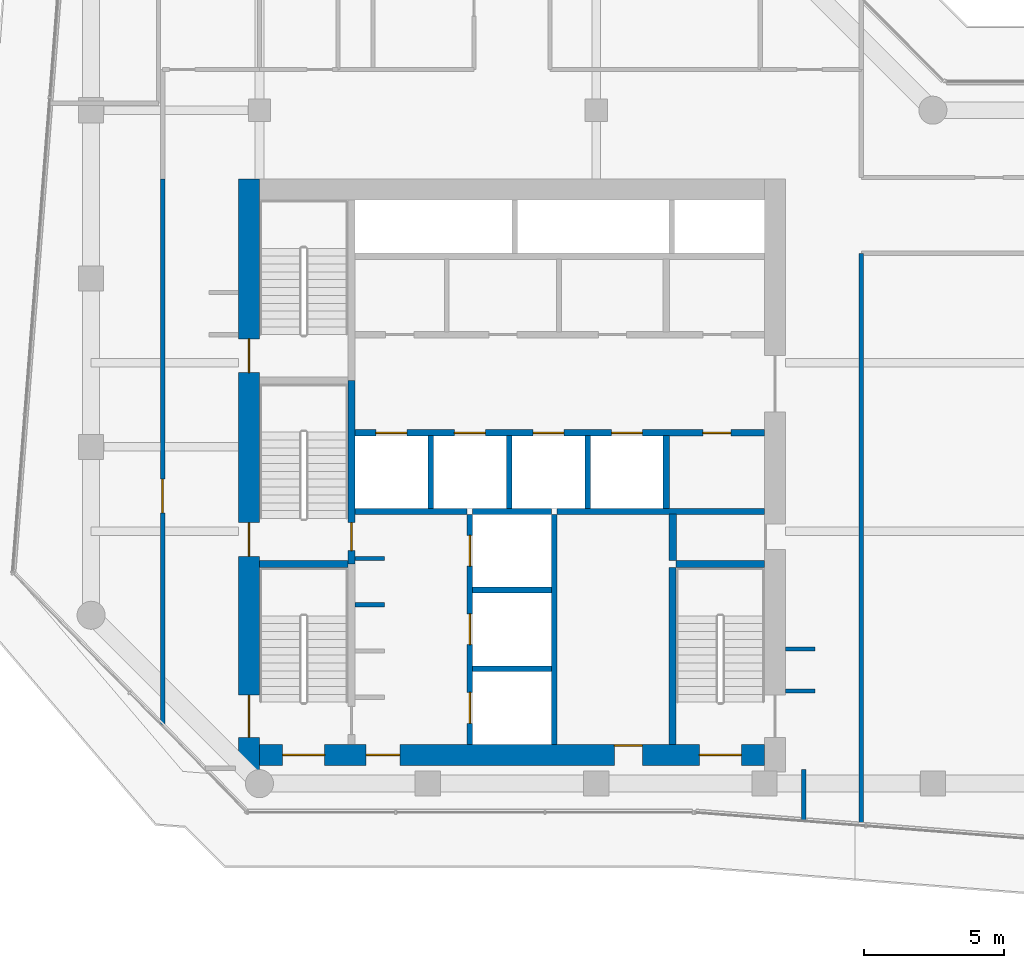
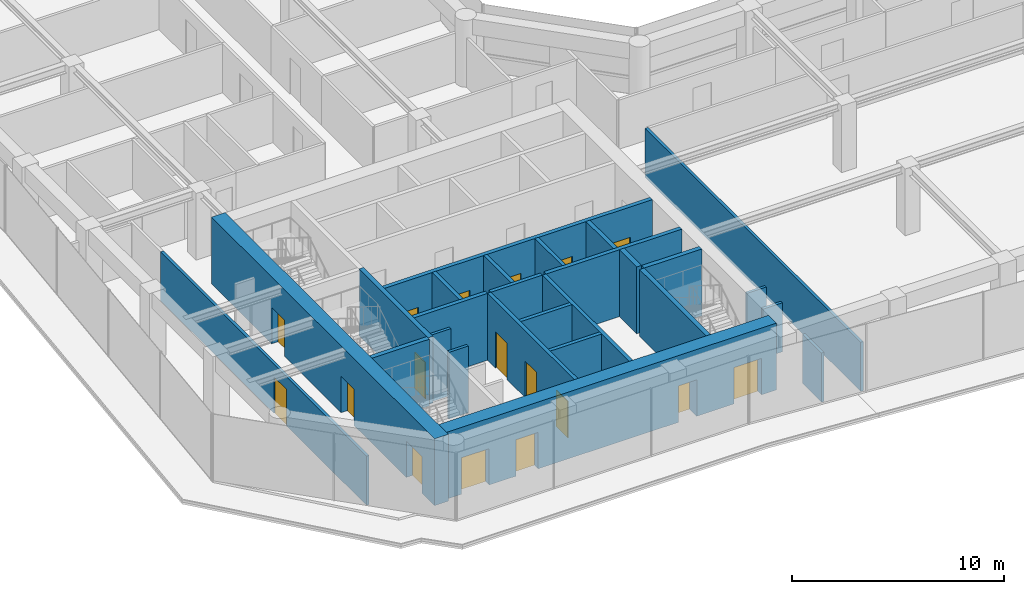
# One storey, part 20 of 24: 26 walls, 17 doors, 17 openings.
"""IFC4 building model written with IfcOpenShell, lengths in metres."""

from ifc_helpers import new_model, si_unit, direction, frame, frame_2d, origin, place, context, subcontext, project, spatial, rectangle, extrude, material, layer, layer_set, type_object, element, fill, save


model = new_model("IFC4")

# Units and contexts
model_context = context("Model", 3, precision=1e-05, world=origin(), true_north=direction((0.0, 1.0)))
body_context = subcontext(model_context, "Body", "Model", "MODEL_VIEW")
ifc_project = project(units=[si_unit("LENGTHUNIT", "METRE"), si_unit("AREAUNIT", "SQUARE_METRE"), si_unit("VOLUMEUNIT", "CUBIC_METRE"), si_unit("PLANEANGLEUNIT", "RADIAN"), si_unit("MASSUNIT", "GRAM", prefix="KILO")], contexts=[model_context])

# Site, building, storey
site_placement = place(None, origin())
site = spatial("IfcSite", under=ifc_project, at=site_placement, CompositionType="ELEMENT")
building_placement = place(site_placement, origin())
building = spatial("IfcBuilding", under=site, at=building_placement, Name="Welwitschia Terrace Campus", CompositionType="ELEMENT")
storey_placement = place(building_placement, frame((0.0, 0.0, 129.800048828125)))
storey = spatial("IfcBuildingStorey", under=building, at=storey_placement, Name="L29", CompositionType="ELEMENT", Elevation=129.800048828125)

# Walls
ifc_material_1 = material(Name="Concrete C32/40", Category="concrete")
ifc_layer_1 = layer(ifc_material_1, 0.22509765625)
ifc_layer_set_1 = layer_set([ifc_layer_1], Name="Concrete C32/40")
wall_type_1 = type_object("IfcWallType", Name="Core partition 225 Concrete C32/40", PredefinedType="PARTITIONING", material=ifc_layer_set_1)
wall_1_placement = place(storey_placement, frame((9.39990234375, 13.699951171875, 0.0), z_axis=(0.0, 0.0, 1.0), x_axis=(1.0, 0.0, 0.0)))
element("IfcWall", 1, at=wall_1_placement, inside=storey, type_object=wall_type_1, Name="Shaft wall", PredefinedType="PARTITIONING", context=body_context, shape_type="SweptSolid", body=[
    extrude(rectangle(XDim=4.0, YDim=0.22509765625, at=frame_2d((2.0, 0.0))), origin(), (0.0, 0.0, 1.0), 3.849853515625),
])
wall_2_placement = place(storey_placement, frame((16.60009765625, 13.699951171875, 0.0), z_axis=(0.0, 0.0, 1.0), x_axis=(1.0, 0.0, 0.0)))
element("IfcWall", 2, at=wall_2_placement, inside=storey, type_object=wall_type_1, Name="Shaft wall", PredefinedType="PARTITIONING", context=body_context, shape_type="SweptSolid", body=[
    extrude(rectangle(XDim=7.39990234375, YDim=0.22509765625, at=frame_2d((3.699951171875, 0.0))), origin(), (0.0, 0.0, 1.0), 3.849853515625),
])

# Wall, openings, doors
wall_3_placement = place(storey_placement, frame((9.39990234375, 16.5, 0.0), z_axis=(0.0, 0.0, 1.0), x_axis=(1.0, 0.0, 0.0)))
wall_3 = element("IfcWall", 3, at=wall_3_placement, inside=storey, type_object=wall_type_1, Name="Shaft wall", PredefinedType="PARTITIONING", context=body_context, shape_type="SweptSolid", body=[
    extrude(rectangle(XDim=14.60009765625, YDim=0.22509765625, at=frame_2d((7.300048828125, 0.0))), origin(), (0.0, 0.0, 1.0), 3.849853515625),
])
opening_1_placement = place(wall_3_placement, frame((0.75, 0.0, 0.0)))
opening_1 = element("IfcOpeningElement", 4, at=opening_1_placement, cuts=wall_3, Name="Opening LD", PredefinedType="OPENING", context=body_context, shape_type="SweptSolid", body=[
    extrude(rectangle(XDim=1.10009765625, YDim=2.10009765625, at=frame_2d((0.550048828125, 1.050048828125))), frame((0.0, 0.12255859375, 0.0), z_axis=(0.0, -1.0, 0.0), x_axis=(1.0, 0.0, 0.0)), (0.0, 0.0, 1.0), 0.2451171875),
])
opening_2_placement = place(wall_3_placement, frame((3.550048828125, 0.0, 0.0)))
opening_2 = element("IfcOpeningElement", 5, at=opening_2_placement, cuts=wall_3, Name="Opening LD", PredefinedType="OPENING", context=body_context, shape_type="SweptSolid", body=[
    extrude(rectangle(XDim=1.10009765625, YDim=2.10009765625, at=frame_2d((0.550048828125, 1.050048828125))), frame((0.0, 0.12255859375, 0.0), z_axis=(0.0, -1.0, 0.0), x_axis=(1.0, 0.0, 0.0)), (0.0, 0.0, 1.0), 0.2451171875),
])
opening_3_placement = place(wall_3_placement, frame((6.35009765625, 0.0, 0.0)))
opening_3 = element("IfcOpeningElement", 6, at=opening_3_placement, cuts=wall_3, Name="Opening LD", PredefinedType="OPENING", context=body_context, shape_type="SweptSolid", body=[
    extrude(rectangle(XDim=1.10009765625, YDim=2.10009765625, at=frame_2d((0.550048828125, 1.050048828125))), frame((0.0, 0.12255859375, 0.0), z_axis=(0.0, -1.0, 0.0), x_axis=(1.0, 0.0, 0.0)), (0.0, 0.0, 1.0), 0.2451171875),
])
opening_4_placement = place(wall_3_placement, frame((9.14990234375, 0.0, 0.0)))
opening_4 = element("IfcOpeningElement", 7, at=opening_4_placement, cuts=wall_3, Name="Opening LD", PredefinedType="OPENING", context=body_context, shape_type="SweptSolid", body=[
    extrude(rectangle(XDim=1.10009765625, YDim=2.10009765625, at=frame_2d((0.550048828125, 1.050048828125))), frame((0.0, 0.12255859375, 0.0), z_axis=(0.0, -1.0, 0.0), x_axis=(1.0, 0.0, 0.0)), (0.0, 0.0, 1.0), 0.2451171875),
])
opening_5_placement = place(wall_3_placement, frame((12.39990234375, 0.0, 0.0)))
opening_5 = element("IfcOpeningElement", 8, at=opening_5_placement, cuts=wall_3, Name="Opening DR10", PredefinedType="OPENING", context=body_context, shape_type="SweptSolid", body=[
    extrude(rectangle(XDim=1.0, YDim=2.10009765625, at=frame_2d((0.5, 1.050048828125))), frame((0.0, 0.12255859375, 0.0), z_axis=(0.0, -1.0, 0.0), x_axis=(1.0, 0.0, 0.0)), (0.0, 0.0, 1.0), 0.2451171875),
])
ifc_material_2 = material(Name="Steel S275", Category="steel")
door_type_1 = type_object("IfcDoorType", Name="Core door DR10", OperationType="SINGLE_SWING_LEFT", PredefinedType="DOOR", material=ifc_material_2)
door_1_placement = place(opening_5_placement, origin())
door_1 = element("IfcDoor", 9, at=door_1_placement, inside=storey, type_object=door_type_1, Name="Door EL-D", OperationType="SINGLE_SWING_RIGHT", OverallHeight=2.10009765625, OverallWidth=1.0, PredefinedType="DOOR", context=body_context, shape_type="SweptSolid", body=[
    extrude(rectangle(XDim=1.0, YDim=2.10009765625, at=frame_2d((0.5, 1.050048828125))), frame((0.0, 0.02490234375, 0.0), z_axis=(0.0, -1.0, 0.0), x_axis=(1.0, 0.0, 0.0)), (0.0, 0.0, 1.0), 0.050048828125),
])
fill(opening_5, door_1)
ifc_material_3 = material(Name="Stainless steel 304", Category="steel")
door_type_2 = type_object("IfcDoorType", Name="Lift landing door", OperationType="DOUBLE_DOOR_SLIDING", PredefinedType="DOOR", material=ifc_material_3)
door_2_placement = place(opening_1_placement, origin())
door_2 = element("IfcDoor", 10, at=door_2_placement, inside=storey, type_object=door_type_2, Name="Landing door LR1", OperationType="DOUBLE_DOOR_SLIDING", OverallHeight=2.10009765625, OverallWidth=1.10009765625, PredefinedType="DOOR", context=body_context, shape_type="SweptSolid", body=[
    extrude(rectangle(XDim=1.10009765625, YDim=2.10009765625, at=frame_2d((0.550048828125, 1.050048828125))), frame((0.0, 0.02490234375, 0.0), z_axis=(0.0, -1.0, 0.0), x_axis=(1.0, 0.0, 0.0)), (0.0, 0.0, 1.0), 0.050048828125),
])
fill(opening_1, door_2)
door_3_placement = place(opening_2_placement, origin())
door_3 = element("IfcDoor", 11, at=door_3_placement, inside=storey, type_object=door_type_2, Name="Landing door LR2", OperationType="DOUBLE_DOOR_SLIDING", OverallHeight=2.10009765625, OverallWidth=1.10009765625, PredefinedType="DOOR", context=body_context, shape_type="SweptSolid", body=[
    extrude(rectangle(XDim=1.10009765625, YDim=2.10009765625, at=frame_2d((0.550048828125, 1.050048828125))), frame((0.0, 0.02490234375, 0.0), z_axis=(0.0, -1.0, 0.0), x_axis=(1.0, 0.0, 0.0)), (0.0, 0.0, 1.0), 0.050048828125),
])
fill(opening_2, door_3)
door_4_placement = place(opening_3_placement, origin())
door_4 = element("IfcDoor", 12, at=door_4_placement, inside=storey, type_object=door_type_2, Name="Landing door LR3", OperationType="DOUBLE_DOOR_SLIDING", OverallHeight=2.10009765625, OverallWidth=1.10009765625, PredefinedType="DOOR", context=body_context, shape_type="SweptSolid", body=[
    extrude(rectangle(XDim=1.10009765625, YDim=2.10009765625, at=frame_2d((0.550048828125, 1.050048828125))), frame((0.0, 0.02490234375, 0.0), z_axis=(0.0, -1.0, 0.0), x_axis=(1.0, 0.0, 0.0)), (0.0, 0.0, 1.0), 0.050048828125),
])
fill(opening_3, door_4)
door_5_placement = place(opening_4_placement, origin())
door_5 = element("IfcDoor", 13, at=door_5_placement, inside=storey, type_object=door_type_2, Name="Landing door LR4", OperationType="DOUBLE_DOOR_SLIDING", OverallHeight=2.10009765625, OverallWidth=1.10009765625, PredefinedType="DOOR", context=body_context, shape_type="SweptSolid", body=[
    extrude(rectangle(XDim=1.10009765625, YDim=2.10009765625, at=frame_2d((0.550048828125, 1.050048828125))), frame((0.0, 0.02490234375, 0.0), z_axis=(0.0, -1.0, 0.0), x_axis=(1.0, 0.0, 0.0)), (0.0, 0.0, 1.0), 0.050048828125),
])
fill(opening_4, door_5)

# Walls
wall_4_placement = place(storey_placement, frame((20.5, 13.800048828125, 0.0), z_axis=(0.0, 0.0, 1.0), x_axis=(0.0, 1.0, 0.0)))
element("IfcWall", 14, at=wall_4_placement, inside=storey, type_object=wall_type_1, Name="Shaft wall", PredefinedType="PARTITIONING", context=body_context, shape_type="SweptSolid", body=[
    extrude(rectangle(XDim=2.599853515625, YDim=0.22509765625, at=frame_2d((1.2998046875, 0.0))), origin(), (0.0, 0.0, 1.0), 3.849853515625),
])
ifc_material_4 = material(Name="Concrete C32/40", Category="concrete")
ifc_layer_2 = layer(ifc_material_4, 0.27490234375)
ifc_layer_set_2 = layer_set([ifc_layer_2], Name="Concrete C32/40")
wall_type_2 = type_object("IfcWallType", Name="Core partition 275 Concrete C32/40", PredefinedType="PARTITIONING", material=ifc_layer_set_2)
wall_5_placement = place(storey_placement, frame((20.72509765625, 11.949951171875, 0.0), z_axis=(0.0, 0.0, 1.0), x_axis=(0.0, 1.0, 0.0)))
element("IfcWall", 15, at=wall_5_placement, inside=storey, type_object=wall_type_2, Name="Core partition", PredefinedType="PARTITIONING", context=body_context, shape_type="SweptSolid", body=[
    extrude(rectangle(XDim=1.650146484375, YDim=0.27490234375, at=frame_2d((0.8251953125, 0.0))), origin(), (0.0, 0.0, 1.0), 3.849853515625),
])
ifc_material_5 = material(Name="Concrete C50/60", Category="concrete")
ifc_layer_3 = layer(ifc_material_5, 0.14990234375)
ifc_layer_set_3 = layer_set([ifc_layer_3], Name="Concrete C50/60")
wall_type_3 = type_object("IfcWallType", Name="Core wall 150 Concrete C50/60", PredefinedType="SHEAR", material=ifc_layer_set_3)
for number, where, z_axis, x_axis, name in (
    (16, (9.39990234375, 10.375, 0.0), (0.0, 0.0, 1.0), (1.0, 0.0, 0.0), "Core wall"),
    (17, (9.39990234375, 12.02490234375, 0.0), (0.0, 0.0, 1.0), (1.0, 0.0, 0.0), "Core wall"),
):
    element("IfcWall", number, at=place(storey_placement, frame(where, z_axis=z_axis, x_axis=x_axis)), inside=storey, type_object=wall_type_3, Name=name, PredefinedType="SHEAR", context=body_context, shape_type="SweptSolid", body=[
        extrude(rectangle(XDim=1.050048828125, YDim=0.14990234375, at=frame_2d((0.52490234375, 0.0))), origin(), (0.0, 0.0, 1.0), 3.849853515625),
    ])
ifc_material_6 = material(Name="Concrete C50/60", Category="concrete")
ifc_layer_4 = layer(ifc_material_6, 0.199951171875)
ifc_layer_set_4 = layer_set([ifc_layer_4], Name="Concrete C50/60")
wall_type_4 = type_object("IfcWallType", Name="Core wall 200 Concrete C50/60", PredefinedType="SHEAR", material=ifc_layer_set_4)
for number, where, z_axis, x_axis, name in (
    (18, (13.60009765625, 8.10009765625, 0.0), (0.0, 0.0, 1.0), (1.0, 0.0, 0.0), "Core wall"),
    (19, (13.60009765625, 10.89990234375, 0.0), (0.0, 0.0, 1.0), (1.0, 0.0, 0.0), "Core wall"),
    (20, (13.60009765625, 13.699951171875, 0.0), (0.0, 0.0, 1.0), (1.0, 0.0, 0.0), "Core wall"),
):
    element("IfcWall", number, at=place(storey_placement, frame(where, z_axis=z_axis, x_axis=x_axis)), inside=storey, type_object=wall_type_4, Name=name, PredefinedType="SHEAR", context=body_context, shape_type="SweptSolid", body=[
        extrude(rectangle(XDim=2.7998046875, YDim=0.199951171875, at=frame_2d((1.39990234375, 0.0))), origin(), (0.0, 0.0, 1.0), 3.849853515625),
    ])

# Wall, openings, doors
wall_6_placement = place(storey_placement, frame((13.5, 5.39990234375, 0.0), z_axis=(0.0, 0.0, 1.0), x_axis=(0.0, 1.0, 0.0)))
wall_6 = element("IfcWall", 21, at=wall_6_placement, inside=storey, type_object=wall_type_4, Name="Core wall", PredefinedType="SHEAR", context=body_context, shape_type="SweptSolid", body=[
    extrude(rectangle(XDim=8.2001953125, YDim=0.199951171875, at=frame_2d((4.10009765625, 0.0))), origin(), (0.0, 0.0, 1.0), 3.849853515625),
])
opening_6_placement = place(wall_6_placement, frame((0.75, 0.0, 0.0)))
opening_6 = element("IfcOpeningElement", 22, at=opening_6_placement, cuts=wall_6, Name="Opening LD", PredefinedType="OPENING", context=body_context, shape_type="SweptSolid", body=[
    extrude(rectangle(XDim=1.10009765625, YDim=2.10009765625, at=frame_2d((0.550048828125, 1.050048828125))), frame((0.0, 0.10986328125, 0.0), z_axis=(0.0, -1.0, 0.0), x_axis=(1.0, 0.0, 0.0)), (0.0, 0.0, 1.0), 0.219970703125),
])
opening_7_placement = place(wall_6_placement, frame((3.550048828125, 0.0, 0.0)))
opening_7 = element("IfcOpeningElement", 23, at=opening_7_placement, cuts=wall_6, Name="Opening LD", PredefinedType="OPENING", context=body_context, shape_type="SweptSolid", body=[
    extrude(rectangle(XDim=1.10009765625, YDim=2.10009765625, at=frame_2d((0.550048828125, 1.050048828125))), frame((0.0, 0.10986328125, 0.0), z_axis=(0.0, -1.0, 0.0), x_axis=(1.0, 0.0, 0.0)), (0.0, 0.0, 1.0), 0.219970703125),
])
opening_8_placement = place(wall_6_placement, frame((6.35009765625, 0.0, 0.0)))
opening_8 = element("IfcOpeningElement", 24, at=opening_8_placement, cuts=wall_6, Name="Opening LD", PredefinedType="OPENING", context=body_context, shape_type="SweptSolid", body=[
    extrude(rectangle(XDim=1.10009765625, YDim=2.10009765625, at=frame_2d((0.550048828125, 1.050048828125))), frame((0.0, 0.10986328125, 0.0), z_axis=(0.0, -1.0, 0.0), x_axis=(1.0, 0.0, 0.0)), (0.0, 0.0, 1.0), 0.219970703125),
])
door_6_placement = place(opening_6_placement, origin())
door_6 = element("IfcDoor", 25, at=door_6_placement, inside=storey, type_object=door_type_2, Name="Landing door FF1", OperationType="DOUBLE_DOOR_SLIDING", OverallHeight=2.10009765625, OverallWidth=1.10009765625, PredefinedType="DOOR", context=body_context, shape_type="SweptSolid", body=[
    extrude(rectangle(XDim=1.10009765625, YDim=2.10009765625, at=frame_2d((0.550048828125, 1.050048828125))), frame((0.0, 0.02490234375, 0.0), z_axis=(0.0, -1.0, 0.0), x_axis=(1.0, 0.0, 0.0)), (0.0, 0.0, 1.0), 0.050048828125),
])
fill(opening_6, door_6)
door_7_placement = place(opening_7_placement, origin())
door_7 = element("IfcDoor", 26, at=door_7_placement, inside=storey, type_object=door_type_2, Name="Landing door FF2", OperationType="DOUBLE_DOOR_SLIDING", OverallHeight=2.10009765625, OverallWidth=1.10009765625, PredefinedType="DOOR", context=body_context, shape_type="SweptSolid", body=[
    extrude(rectangle(XDim=1.10009765625, YDim=2.10009765625, at=frame_2d((0.550048828125, 1.050048828125))), frame((0.0, 0.02490234375, 0.0), z_axis=(0.0, -1.0, 0.0), x_axis=(1.0, 0.0, 0.0)), (0.0, 0.0, 1.0), 0.050048828125),
])
fill(opening_7, door_7)
door_8_placement = place(opening_8_placement, origin())
door_8 = element("IfcDoor", 27, at=door_8_placement, inside=storey, type_object=door_type_2, Name="Landing door SV1", OperationType="DOUBLE_DOOR_SLIDING", OverallHeight=2.10009765625, OverallWidth=1.10009765625, PredefinedType="DOOR", context=body_context, shape_type="SweptSolid", body=[
    extrude(rectangle(XDim=1.10009765625, YDim=2.10009765625, at=frame_2d((0.550048828125, 1.050048828125))), frame((0.0, 0.02490234375, 0.0), z_axis=(0.0, -1.0, 0.0), x_axis=(1.0, 0.0, 0.0)), (0.0, 0.0, 1.0), 0.050048828125),
])
fill(opening_8, door_8)

# Walls
wall_7_placement = place(storey_placement, frame((16.5, 5.39990234375, 0.0), z_axis=(0.0, 0.0, 1.0), x_axis=(0.0, 1.0, 0.0)))
element("IfcWall", 28, at=wall_7_placement, inside=storey, type_object=wall_type_4, Name="Core wall", PredefinedType="SHEAR", context=body_context, shape_type="SweptSolid", body=[
    extrude(rectangle(XDim=8.2001953125, YDim=0.199951171875, at=frame_2d((4.10009765625, 0.0))), origin(), (0.0, 0.0, 1.0), 3.849853515625),
])
ifc_material_7 = material(Name="Concrete C50/60", Category="concrete")
ifc_layer_5 = layer(ifc_material_7, 0.25)
ifc_layer_set_5 = layer_set([ifc_layer_5], Name="Concrete C50/60")
wall_type_5 = type_object("IfcWallType", Name="Core wall 250 Concrete C50/60", PredefinedType="SHEAR", material=ifc_layer_set_5)
for number, where, z_axis, x_axis, name in (
    (29, (6.0, 11.824951171875, 0.0), (0.0, 0.0, 1.0), (1.0, 0.0, 0.0), "Core wall"),
    (30, (20.85009765625, 11.824951171875, 0.0), (0.0, 0.0, 1.0), (1.0, 0.0, 0.0), "Core wall"),
):
    element("IfcWall", number, at=place(storey_placement, frame(where, z_axis=z_axis, x_axis=x_axis)), inside=storey, type_object=wall_type_5, Name=name, PredefinedType="SHEAR", context=body_context, shape_type="SweptSolid", body=[
        extrude(rectangle(XDim=3.14990234375, YDim=0.25, at=frame_2d((1.574951171875, 0.0))), origin(), (0.0, 0.0, 1.0), 3.849853515625),
    ])

# Wall, opening, door
wall_8_placement = place(storey_placement, frame((9.27490234375, 18.375, 0.0), z_axis=(0.0, 0.0, 1.0), x_axis=(0.0, -1.0, 0.0)))
wall_8 = element("IfcWall", 31, at=wall_8_placement, inside=storey, type_object=wall_type_5, Name="Core wall", PredefinedType="SHEAR", context=body_context, shape_type="SweptSolid", body=[
    extrude(rectangle(XDim=6.550048828125, YDim=0.25, at=frame_2d((3.27490234375, 0.0))), origin(), (0.0, 0.0, 1.0), 3.849853515625),
])
opening_9_placement = place(wall_8_placement, frame((5.074951171875, 0.0, 0.0)))
opening_9 = element("IfcOpeningElement", 32, at=opening_9_placement, cuts=wall_8, Name="Opening DS10", PredefinedType="OPENING", context=body_context, shape_type="SweptSolid", body=[
    extrude(rectangle(XDim=1.0, YDim=2.10009765625, at=frame_2d((0.5, 1.050048828125))), frame((0.0, 0.135009765625, 0.0), z_axis=(0.0, -1.0, 0.0), x_axis=(1.0, 0.0, 0.0)), (0.0, 0.0, 1.0), 0.27001953125),
])
ifc_material_8 = material(Name="Steel S275", Category="steel")
door_type_3 = type_object("IfcDoorType", Name="Core door DS10", OperationType="SINGLE_SWING_LEFT", PredefinedType="DOOR", material=ifc_material_8)
door_9_placement = place(opening_9_placement, origin())
door_9 = element("IfcDoor", 33, at=door_9_placement, inside=storey, type_object=door_type_3, Name="Door S3-FL", OperationType="SINGLE_SWING_RIGHT", OverallHeight=2.10009765625, OverallWidth=1.0, PredefinedType="DOOR", context=body_context, shape_type="SweptSolid", body=[
    extrude(rectangle(XDim=1.0, YDim=2.10009765625, at=frame_2d((0.5, 1.050048828125))), frame((0.0, 0.02490234375, 0.0), z_axis=(0.0, -1.0, 0.0), x_axis=(1.0, 0.0, 0.0)), (0.0, 0.0, 1.0), 0.050048828125),
])
fill(opening_9, door_9)

# Wall
wall_9_placement = place(storey_placement, frame((20.72509765625, 5.39990234375, 0.0), z_axis=(0.0, 0.0, 1.0), x_axis=(0.0, 1.0, 0.0)))
element("IfcWall", 34, at=wall_9_placement, inside=storey, type_object=wall_type_5, Name="Core wall", PredefinedType="SHEAR", context=body_context, shape_type="SweptSolid", body=[
    extrude(rectangle(XDim=6.300048828125, YDim=0.25, at=frame_2d((3.14990234375, 0.0))), origin(), (0.0, 0.0, 1.0), 3.849853515625),
])

# Wall, openings, doors
ifc_material_9 = material(Name="Concrete C70/85", Category="concrete")
ifc_layer_6 = layer(ifc_material_9, 0.75)
ifc_layer_set_6 = layer_set([ifc_layer_6], Name="Concrete C70/85")
wall_type_6 = type_object("IfcWallType", Name="Core wall 750 Concrete C70/85", PredefinedType="SHEAR", material=ifc_layer_set_6)
wall_10_placement = place(storey_placement, frame((5.625, 4.469970703125, 0.0), z_axis=(0.0, 0.0, 1.0), x_axis=(0.0, 1.0, 0.0)))
wall_10 = element("IfcWall", 35, at=wall_10_placement, inside=storey, type_object=wall_type_6, Name="Core outer wall", PredefinedType="SHEAR", context=body_context, shape_type="SweptSolid", body=[
    extrude(rectangle(XDim=21.080078125, YDim=0.75, at=frame_2d((10.5400390625, 0.0))), origin(), (0.0, 0.0, 1.0), 3.849853515625),
])
opening_10_placement = place(wall_10_placement, frame((1.179931640625, 0.0, 0.0)))
opening_10 = element("IfcOpeningElement", 36, at=opening_10_placement, cuts=wall_10, Name="Opening DS15", PredefinedType="OPENING", context=body_context, shape_type="SweptSolid", body=[
    extrude(rectangle(XDim=1.5, YDim=2.10009765625, at=frame_2d((0.75, 1.050048828125))), frame((0.0, 0.385009765625, 0.0), z_axis=(0.0, -1.0, 0.0), x_axis=(1.0, 0.0, 0.0)), (0.0, 0.0, 1.0), 0.77001953125),
])
opening_11_placement = place(wall_10_placement, frame((7.6298828125, 0.0, 0.0)))
opening_11 = element("IfcOpeningElement", 37, at=opening_11_placement, cuts=wall_10, Name="Opening DS12", PredefinedType="OPENING", context=body_context, shape_type="SweptSolid", body=[
    extrude(rectangle(XDim=1.199951171875, YDim=2.10009765625, at=frame_2d((0.60009765625, 1.050048828125))), frame((0.0, 0.385009765625, 0.0), z_axis=(0.0, -1.0, 0.0), x_axis=(1.0, 0.0, 0.0)), (0.0, 0.0, 1.0), 0.77001953125),
])
opening_12_placement = place(wall_10_placement, frame((14.179931640625, 0.0, 0.0)))
opening_12 = element("IfcOpeningElement", 38, at=opening_12_placement, cuts=wall_10, Name="Opening DS12", PredefinedType="OPENING", context=body_context, shape_type="SweptSolid", body=[
    extrude(rectangle(XDim=1.199951171875, YDim=2.10009765625, at=frame_2d((0.60009765625, 1.050048828125))), frame((0.0, 0.385009765625, 0.0), z_axis=(0.0, -1.0, 0.0), x_axis=(1.0, 0.0, 0.0)), (0.0, 0.0, 1.0), 0.77001953125),
])
ifc_material_10 = material(Name="Steel S275", Category="steel")
door_type_4 = type_object("IfcDoorType", Name="Core door DS12", OperationType="SINGLE_SWING_LEFT", PredefinedType="DOOR", material=ifc_material_10)
door_10_placement = place(opening_11_placement, origin())
door_10 = element("IfcDoor", 39, at=door_10_placement, inside=storey, type_object=door_type_4, Name="Door S3-out", OperationType="SINGLE_SWING_LEFT", OverallHeight=2.10009765625, OverallWidth=1.199951171875, PredefinedType="DOOR", context=body_context, shape_type="SweptSolid", body=[
    extrude(rectangle(XDim=1.199951171875, YDim=2.10009765625, at=frame_2d((0.60009765625, 1.050048828125))), frame((0.0, 0.02490234375, 0.0), z_axis=(0.0, -1.0, 0.0), x_axis=(1.0, 0.0, 0.0)), (0.0, 0.0, 1.0), 0.050048828125),
])
fill(opening_11, door_10)
door_11_placement = place(opening_12_placement, origin())
door_11 = element("IfcDoor", 40, at=door_11_placement, inside=storey, type_object=door_type_4, Name="Door S4-out", OperationType="SINGLE_SWING_RIGHT", OverallHeight=2.10009765625, OverallWidth=1.199951171875, PredefinedType="DOOR", context=body_context, shape_type="SweptSolid", body=[
    extrude(rectangle(XDim=1.199951171875, YDim=2.10009765625, at=frame_2d((0.60009765625, 1.050048828125))), frame((0.0, 0.02490234375, 0.0), z_axis=(0.0, -1.0, 0.0), x_axis=(1.0, 0.0, 0.0)), (0.0, 0.0, 1.0), 0.050048828125),
])
fill(opening_12, door_11)
ifc_material_11 = material(Name="Steel S275", Category="steel")
door_type_5 = type_object("IfcDoorType", Name="Core door DS15", OperationType="DOUBLE_DOOR_SINGLE_SWING", PredefinedType="DOOR", material=ifc_material_11)
door_12_placement = place(opening_10_placement, origin())
door_12 = element("IfcDoor", 41, at=door_12_placement, inside=storey, type_object=door_type_5, Name="Door S1-out", OperationType="DOUBLE_DOOR_SINGLE_SWING", OverallHeight=2.10009765625, OverallWidth=1.5, PredefinedType="DOOR", context=body_context, shape_type="SweptSolid", body=[
    extrude(rectangle(XDim=1.5, YDim=2.10009765625, at=frame_2d((0.75, 1.050048828125))), frame((0.0, 0.02490234375, 0.0), z_axis=(0.0, -1.0, 0.0), x_axis=(1.0, 0.0, 0.0)), (0.0, 0.0, 1.0), 0.050048828125),
])
fill(opening_10, door_12)

wall_11_placement = place(storey_placement, frame((24.0, 5.02490234375, 0.0), z_axis=(0.0, 0.0, 1.0), x_axis=(-1.0, 0.0, 0.0)))
wall_11 = element("IfcWall", 42, at=wall_11_placement, inside=storey, type_object=wall_type_6, Name="Core outer wall", PredefinedType="SHEAR", context=body_context, shape_type="SweptSolid", body=[
    extrude(rectangle(XDim=18.0, YDim=0.75, at=frame_2d((9.0, 0.0))), origin(), (0.0, 0.0, 1.0), 3.849853515625),
])
opening_13_placement = place(wall_11_placement, frame((0.824951171875, 0.0, 0.0)))
opening_13 = element("IfcOpeningElement", 43, at=opening_13_placement, cuts=wall_11, Name="Opening DS15", PredefinedType="OPENING", context=body_context, shape_type="SweptSolid", body=[
    extrude(rectangle(XDim=1.5, YDim=2.10009765625, at=frame_2d((0.75, 1.050048828125))), frame((0.0, 0.385009765625, 0.0), z_axis=(0.0, -1.0, 0.0), x_axis=(1.0, 0.0, 0.0)), (0.0, 0.0, 1.0), 0.77001953125),
])
opening_14_placement = place(wall_11_placement, frame((15.675048828125, 0.0, 0.0)))
opening_14 = element("IfcOpeningElement", 44, at=opening_14_placement, cuts=wall_11, Name="Opening DS15", PredefinedType="OPENING", context=body_context, shape_type="SweptSolid", body=[
    extrude(rectangle(XDim=1.5, YDim=2.10009765625, at=frame_2d((0.75, 1.050048828125))), frame((0.0, 0.385009765625, 0.0), z_axis=(0.0, -1.0, 0.0), x_axis=(1.0, 0.0, 0.0)), (0.0, 0.0, 1.0), 0.77001953125),
])
opening_15_placement = place(wall_11_placement, frame((13.0, 0.0, 0.0)))
opening_15 = element("IfcOpeningElement", 45, at=opening_15_placement, cuts=wall_11, Name="Opening DF12", PredefinedType="OPENING", context=body_context, shape_type="SweptSolid", body=[
    extrude(rectangle(XDim=1.199951171875, YDim=2.10009765625, at=frame_2d((0.60009765625, 1.050048828125))), frame((0.0, 0.385009765625, 0.0), z_axis=(0.0, -1.0, 0.0), x_axis=(1.0, 0.0, 0.0)), (0.0, 0.0, 1.0), 0.77001953125),
])
opening_16_placement = place(wall_11_placement, frame((4.35009765625, 0.0, 0.0)))
opening_16 = element("IfcOpeningElement", 46, at=opening_16_placement, cuts=wall_11, Name="Opening DR10", PredefinedType="OPENING", context=body_context, shape_type="SweptSolid", body=[
    extrude(rectangle(XDim=1.0, YDim=2.10009765625, at=frame_2d((0.5, 1.050048828125))), frame((0.0, 0.385009765625, 0.0), z_axis=(0.0, -1.0, 0.0), x_axis=(1.0, 0.0, 0.0)), (0.0, 0.0, 1.0), 0.77001953125),
])
ifc_material_12 = material(Name="Steel S275", Category="steel")
door_type_6 = type_object("IfcDoorType", Name="Core door DF12", OperationType="SINGLE_SWING_LEFT", PredefinedType="DOOR", material=ifc_material_12)
door_13_placement = place(opening_15_placement, origin())
door_13 = element("IfcDoor", 47, at=door_13_placement, inside=storey, type_object=door_type_6, Name="Door FL-out", OperationType="SINGLE_SWING_RIGHT", OverallHeight=2.10009765625, OverallWidth=1.199951171875, PredefinedType="DOOR", context=body_context, shape_type="SweptSolid", body=[
    extrude(rectangle(XDim=1.199951171875, YDim=2.10009765625, at=frame_2d((0.60009765625, 1.050048828125))), frame((0.0, 0.02490234375, 0.0), z_axis=(0.0, -1.0, 0.0), x_axis=(1.0, 0.0, 0.0)), (0.0, 0.0, 1.0), 0.050048828125),
])
fill(opening_15, door_13)
door_14_placement = place(opening_16_placement, origin())
door_14 = element("IfcDoor", 48, at=door_14_placement, inside=storey, type_object=door_type_1, Name="Door F1-out", OperationType="SINGLE_SWING_LEFT", OverallHeight=2.10009765625, OverallWidth=1.0, PredefinedType="DOOR", context=body_context, shape_type="SweptSolid", body=[
    extrude(rectangle(XDim=1.0, YDim=2.10009765625, at=frame_2d((0.5, 1.050048828125))), frame((0.0, -0.31494140625, 0.0), z_axis=(0.0, -1.0, 0.0), x_axis=(1.0, 0.0, 0.0)), (0.0, 0.0, 1.0), 0.050048828125),
])
fill(opening_16, door_14)
door_15_placement = place(opening_13_placement, origin())
door_15 = element("IfcDoor", 49, at=door_15_placement, inside=storey, type_object=door_type_5, Name="Door S2-outS", OperationType="DOUBLE_DOOR_SINGLE_SWING", OverallHeight=2.10009765625, OverallWidth=1.5, PredefinedType="DOOR", context=body_context, shape_type="SweptSolid", body=[
    extrude(rectangle(XDim=1.5, YDim=2.10009765625, at=frame_2d((0.75, 1.050048828125))), frame((0.0, 0.02490234375, 0.0), z_axis=(0.0, -1.0, 0.0), x_axis=(1.0, 0.0, 0.0)), (0.0, 0.0, 1.0), 0.050048828125),
])
fill(opening_13, door_15)
door_16_placement = place(opening_14_placement, origin())
door_16 = element("IfcDoor", 50, at=door_16_placement, inside=storey, type_object=door_type_5, Name="Door S1-outS", OperationType="DOUBLE_DOOR_SINGLE_SWING", OverallHeight=2.10009765625, OverallWidth=1.5, PredefinedType="DOOR", context=body_context, shape_type="SweptSolid", body=[
    extrude(rectangle(XDim=1.5, YDim=2.10009765625, at=frame_2d((0.75, 1.050048828125))), frame((0.0, 0.02490234375, 0.0), z_axis=(0.0, -1.0, 0.0), x_axis=(1.0, 0.0, 0.0)), (0.0, 0.0, 1.0), 0.050048828125),
])
fill(opening_14, door_16)

# Wall, opening, door
ifc_material_13 = material(Name="Gypsum board on steel studs", Category="steel")
ifc_layer_7 = layer(ifc_material_13, 0.14990234375)
ifc_layer_set_7 = layer_set([ifc_layer_7], Name="Gypsum board on steel studs")
wall_type_7 = type_object("IfcWallType", Name="Corridor partition 150 EI 30", PredefinedType="PARTITIONING", material=ifc_layer_set_7)
wall_12_placement = place(storey_placement, frame((2.550048828125, 6.10009765625, 0.0), z_axis=(0.0, 0.0, 1.0), x_axis=(0.0, 1.0, 0.0)))
wall_12 = element("IfcWall", 51, at=wall_12_placement, inside=storey, type_object=wall_type_7, Name="Partition", PredefinedType="PARTITIONING", context=body_context, shape_type="SweptSolid", body=[
    extrude(rectangle(XDim=19.449951171875, YDim=0.14990234375, at=frame_2d((9.72509765625, 0.0))), origin(), (0.0, 0.0, 1.0), 2.829833984375),
])
opening_17_placement = place(wall_12_placement, frame((7.550048828125, 0.0, 0.0)))
opening_17 = element("IfcOpeningElement", 52, at=opening_17_placement, cuts=wall_12, Name="Opening DI12", PredefinedType="OPENING", context=body_context, shape_type="SweptSolid", body=[
    extrude(rectangle(XDim=1.199951171875, YDim=2.10009765625, at=frame_2d((0.60009765625, 1.050048828125))), frame((0.0, 0.0849609375, 0.0), z_axis=(0.0, -1.0, 0.0), x_axis=(1.0, 0.0, 0.0)), (0.0, 0.0, 1.0), 0.169921875),
])
ifc_material_14 = material(Name="Timber veneered door", Category="wood")
door_type_7 = type_object("IfcDoorType", Name="Interior door DI12", OperationType="NOTDEFINED", PredefinedType="DOOR", material=ifc_material_14)
door_17_placement = place(opening_17_placement, origin())
door_17 = element("IfcDoor", 53, at=door_17_placement, inside=storey, type_object=door_type_7, Name="Door L29 617", OperationType="SINGLE_SWING_RIGHT", OverallHeight=2.10009765625, OverallWidth=1.199951171875, PredefinedType="DOOR", context=body_context, shape_type="SweptSolid", body=[
    extrude(rectangle(XDim=1.199951171875, YDim=2.10009765625, at=frame_2d((0.60009765625, 1.050048828125))), frame((0.0, 0.02490234375, 0.0), z_axis=(0.0, -1.0, 0.0), x_axis=(1.0, 0.0, 0.0)), (0.0, 0.0, 1.0), 0.050048828125),
])
fill(opening_17, door_17)

# Walls
for number, where, z_axis, x_axis, name in (
    (54, (24.75, 7.300048828125, 0.0), (0.0, 0.0, 1.0), (1.0, 0.0, 0.0), "Partition"),
    (55, (24.75, 8.800048828125, 0.0), (0.0, 0.0, 1.0), (1.0, 0.0, 0.0), "Partition"),
):
    element("IfcWall", number, at=place(storey_placement, frame(where, z_axis=z_axis, x_axis=x_axis)), inside=storey, type_object=wall_type_7, Name=name, PredefinedType="PARTITIONING", context=body_context, shape_type="SweptSolid", body=[
        extrude(rectangle(XDim=1.050048828125, YDim=0.14990234375, at=frame_2d((0.52490234375, 0.0))), origin(), (0.0, 0.0, 1.0), 2.829833984375),
    ])
wall_13_placement = place(storey_placement, frame((25.39990234375, 2.7099609375, 0.0), z_axis=(0.0, 0.0, 1.0), x_axis=(0.0, 1.0, 0.0)))
element("IfcWall", 56, at=wall_13_placement, inside=storey, type_object=wall_type_7, Name="Partition", PredefinedType="PARTITIONING", context=body_context, shape_type="SweptSolid", body=[
    extrude(rectangle(XDim=1.7900390625, YDim=0.14990234375, at=frame_2d((0.89501953125, 0.0))), origin(), (0.0, 0.0, 1.0), 2.829833984375),
])
wall_14_placement = place(storey_placement, frame((27.449951171875, 2.550048828125, 0.0), z_axis=(0.0, 0.0, 1.0), x_axis=(0.0, 1.0, 0.0)))
element("IfcWall", 57, at=wall_14_placement, inside=storey, type_object=wall_type_7, Name="Partition", PredefinedType="PARTITIONING", context=body_context, shape_type="SweptSolid", body=[
    extrude(rectangle(XDim=20.349853515625, YDim=0.14990234375, at=frame_2d((10.1748046875, 0.0))), origin(), (0.0, 0.0, 1.0), 2.829833984375),
])
ifc_material_15 = material(Name="Concrete C32/40", Category="concrete")
ifc_layer_8 = layer(ifc_material_15, 0.199951171875)
ifc_layer_set_8 = layer_set([ifc_layer_8], Name="Concrete C32/40")
wall_type_8 = type_object("IfcWallType", Name="Shaft wall 200 Concrete C32/40", PredefinedType="SOLIDWALL", material=ifc_layer_set_8)
for number, where, z_axis, x_axis, name in (
    (58, (12.10009765625, 13.800048828125, 0.0), (0.0, 0.0, 1.0), (0.0, 1.0, 0.0), "Shaft wall"),
    (59, (14.89990234375, 13.800048828125, 0.0), (0.0, 0.0, 1.0), (0.0, 1.0, 0.0), "Shaft wall"),
    (60, (17.699951171875, 13.800048828125, 0.0), (0.0, 0.0, 1.0), (0.0, 1.0, 0.0), "Shaft wall"),
):
    element("IfcWall", number, at=place(storey_placement, frame(where, z_axis=z_axis, x_axis=x_axis)), inside=storey, type_object=wall_type_8, Name=name, PredefinedType="SOLIDWALL", context=body_context, shape_type="SweptSolid", body=[
        extrude(rectangle(XDim=2.599853515625, YDim=0.199951171875, at=frame_2d((1.2998046875, 0.0))), origin(), (0.0, 0.0, 1.0), 3.849853515625),
    ])

save(model, "model.ifc")
